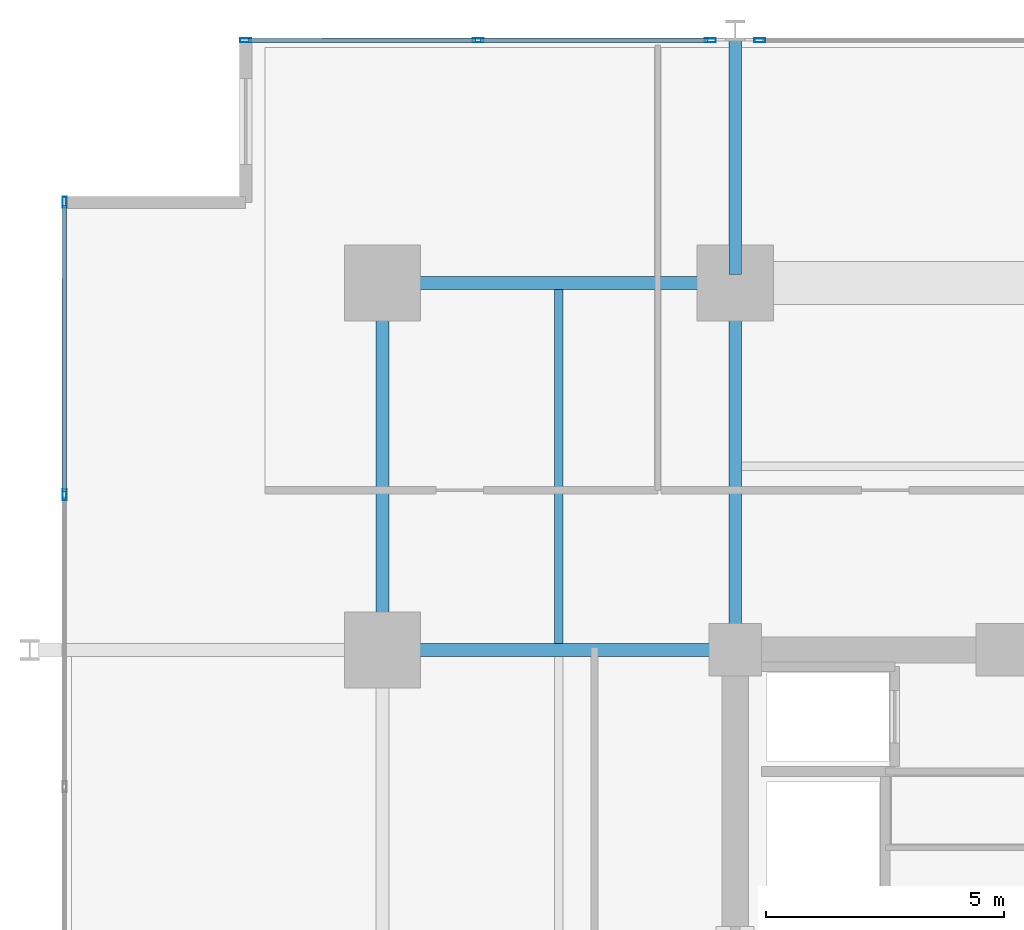
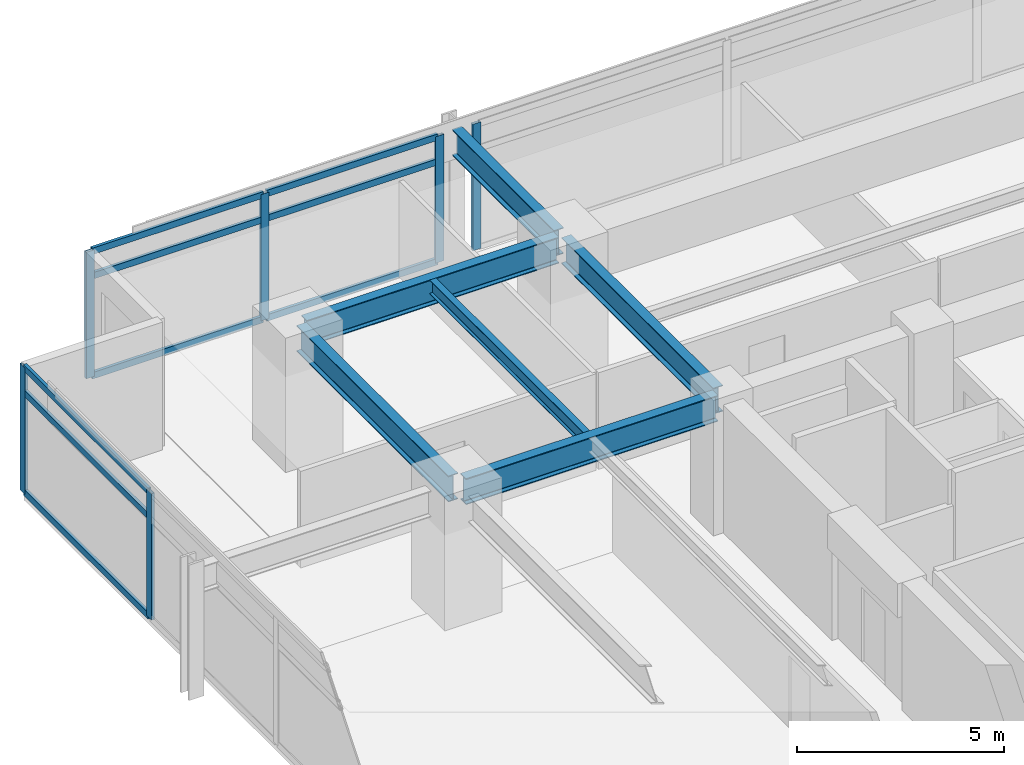
# One storey, part 6 of 21: 15 members, 6 beams, 3 elements without a shape of their own.
"""IFC4 building model written with IfcOpenShell, lengths in metres."""

from ifc_helpers import new_model, si_unit, direction, frame, origin, origin_2d, place, context, subcontext, project, spatial, hollow_rectangle, i_section, extrude, material, material_profile, profile_set, type_object, element, aggregate, save


model = new_model("IFC4")

# Units and contexts
model_context = context("Model", 3, precision=1e-05, world=origin(), true_north=direction((0.0, 1.0)))
body_context = subcontext(model_context, "Body", "Model", "MODEL_VIEW")
ifc_project = project(units=[si_unit("LENGTHUNIT", "METRE"), si_unit("AREAUNIT", "SQUARE_METRE"), si_unit("VOLUMEUNIT", "CUBIC_METRE"), si_unit("PLANEANGLEUNIT", "RADIAN"), si_unit("MASSUNIT", "GRAM", prefix="KILO")], contexts=[model_context])

# Site, building, storey
site_placement = place(None, origin())
site = spatial("IfcSite", under=ifc_project, at=site_placement, CompositionType="ELEMENT")
building_placement = place(site_placement, origin())
building = spatial("IfcBuilding", under=site, at=building_placement, Name="Kovane Verandah Tower", CompositionType="ELEMENT")
storey_placement = place(building_placement, frame((0.0, 0.0, 172.39990234375)))
storey = spatial("IfcBuildingStorey", under=building, at=storey_placement, Name="L40", CompositionType="ELEMENT", Elevation=172.39990234375)

# Beams
ifc_material_1 = material(Name="Steel S355", Category="steel")
ifc_material_profile_1 = material_profile(ifc_material_1, i_section(OverallWidth=0.26806640625, OverallDepth=0.769775390625, WebThickness=0.015625, FlangeThickness=0.025390625, FilletRadius=0.0166015625, at=origin_2d()), Name="UB762x267x197")
ifc_profile_set_1 = profile_set([ifc_material_profile_1], Name="Steel S355")
beam_type_1 = type_object("IfcBeamType", Name="BM-UB762x197", PredefinedType="BEAM", material=ifc_profile_set_1)
beam_1_placement = place(storey_placement, frame((21.780029296875, 44.199951171875, 3.39013671875), z_axis=(1.0, 0.0, 0.0), x_axis=(0.0, 1.0, 0.0)))
element("IfcBeam", 1, at=beam_1_placement, inside=storey, type_object=beam_type_1, Name="L40 Primary Tower Girder G-RN1", PredefinedType="BEAM", context=body_context, shape_type="SweptSolid", body=[
    extrude(i_section(OverallWidth=0.26806640625, OverallDepth=0.769775390625, WebThickness=0.015625, FlangeThickness=0.025390625, FilletRadius=0.0166015625, at=origin_2d()), origin(), (0.0, 0.0, 1.0), 7.0400390625),
])
beam_2_placement = place(storey_placement, frame((21.60009765625, 36.679931640625, 3.39013671875), z_axis=(0.0, 1.0, 0.0), x_axis=(-1.0, 0.0, 0.0)))
element("IfcBeam", 2, at=beam_2_placement, inside=storey, type_object=beam_type_1, Name="L40 Primary Tower Girder G-RW3", PredefinedType="BEAM", context=body_context, shape_type="SweptSolid", body=[
    extrude(i_section(OverallWidth=0.26806640625, OverallDepth=0.769775390625, WebThickness=0.015625, FlangeThickness=0.025390625, FilletRadius=0.0166015625, at=origin_2d()), origin(), (0.0, 0.0, 1.0), 7.340087890625),
])
beam_3_placement = place(storey_placement, frame((28.820068359375, 36.5, 3.39013671875), z_axis=(-1.0, 0.0, 0.0), x_axis=(0.0, -1.0, 0.0)))
element("IfcBeam", 3, at=beam_3_placement, inside=storey, type_object=beam_type_1, Name="L40 Primary Tower Girder G-W2", PredefinedType="BEAM", context=body_context, shape_type="SweptSolid", body=[
    extrude(i_section(OverallWidth=0.26806640625, OverallDepth=0.769775390625, WebThickness=0.015625, FlangeThickness=0.025390625, FilletRadius=0.0166015625, at=origin_2d()), origin(), (0.0, 0.0, 1.0), 7.0400390625),
])
beam_4_placement = place(storey_placement, frame((29.0, 36.679931640625, 3.39013671875), z_axis=(0.0, 1.0, 0.0), x_axis=(-1.0, 0.0, 0.0)))
element("IfcBeam", 4, at=beam_4_placement, inside=storey, type_object=beam_type_1, Name="L40 Primary Tower Girder G-N1", PredefinedType="BEAM", context=body_context, shape_type="SweptSolid", body=[
    extrude(i_section(OverallWidth=0.26806640625, OverallDepth=0.769775390625, WebThickness=0.015625, FlangeThickness=0.025390625, FilletRadius=0.0166015625, at=origin_2d()), origin(), (0.0, 0.0, 1.0), 7.340087890625),
])
beam_5_placement = place(storey_placement, frame((29.0, 44.3798828125, 3.375244140625), z_axis=(0.0, 1.0, 0.0), x_axis=(-1.0, 0.0, 0.0)))
element("IfcBeam", 5, at=beam_5_placement, inside=storey, type_object=beam_type_1, Name="L40 Primary Tower Girder G-VN1", PredefinedType="BEAM", context=body_context, shape_type="SweptSolid", body=[
    extrude(i_section(OverallWidth=0.26806640625, OverallDepth=0.769775390625, WebThickness=0.015625, FlangeThickness=0.025390625, FilletRadius=0.0166015625, at=origin_2d()), origin(), (0.0, 0.0, 1.0), 4.940185546875),
])

# Curtain wall, member
ifc_material_2 = material(Name="Champagne Anodised Aluminium Frame with Low-E Clear Laminated Glass", Category="aluminium")
curtain_wall_type = type_object("IfcCurtainWallType", Name="CW-SYS-03-MID", PredefinedType="NOTDEFINED", material=ifc_material_2)
curtain_wall_1_placement = place(storey_placement, origin())
curtain_wall_1 = element("IfcCurtainWall", 6, at=curtain_wall_1_placement, inside=storey, type_object=curtain_wall_type, Name="L40 N Unitised Curtain Wall-2", PredefinedType="NOTDEFINED")
ifc_material_3 = material(Name="Champagne Anodised Aluminium 6063-T6", Category="aluminium")
ifc_material_profile_2 = material_profile(ifc_material_3, hollow_rectangle(XDim=0.0849609375, YDim=0.22998046875, WallThickness=0.00390625, at=origin_2d()), Name="AL85x230x4")
ifc_profile_set_2 = profile_set([ifc_material_profile_2], Name="Champagne Anodised Aluminium 6063-T6")
member_type_1 = type_object("IfcMemberType", Name="CW-MUL-85x230", PredefinedType="MULLION", material=ifc_profile_set_2)
member_1_placement = place(storey_placement, frame((29.52001953125, 49.289306640625, 0.02001953125), z_axis=(0.0, 0.0, 1.0), x_axis=(0.0, 1.0, 0.0)))
member_1 = element("IfcMember", 7, at=member_1_placement, type_object=member_type_1, Name="L40 N Unitised Curtain Wall-2 Mullion 4", PredefinedType="MULLION", context=body_context, shape_type="SweptSolid", body=[
    extrude(hollow_rectangle(XDim=0.0849609375, YDim=0.22998046875, WallThickness=0.00390625, at=origin_2d()), origin(), (0.0, 0.0, 1.0), 3.735107421875),
])
aggregate(curtain_wall_1, [member_1])

# Curtain wall, members
curtain_wall_2_placement = place(storey_placement, origin())
curtain_wall_2 = element("IfcCurtainWall", 8, at=curtain_wall_2_placement, inside=storey, type_object=curtain_wall_type, Name="L40 N Unitised Curtain Wall-3", PredefinedType="NOTDEFINED")
member_2_placement = place(storey_placement, frame((28.47998046875, 49.289306640625, 0.02001953125), z_axis=(0.0, 0.0, 1.0), x_axis=(0.0, 1.0, 0.0)))
member_2 = element("IfcMember", 9, at=member_2_placement, type_object=member_type_1, Name="L40 N Unitised Curtain Wall-3 Mullion 1", PredefinedType="MULLION", context=body_context, shape_type="SweptSolid", body=[
    extrude(hollow_rectangle(XDim=0.0849609375, YDim=0.22998046875, WallThickness=0.00390625, at=origin_2d()), origin(), (0.0, 0.0, 1.0), 3.735107421875),
])
member_3_placement = place(storey_placement, frame((23.604736328125, 49.289306640625, 0.02001953125), z_axis=(0.0, 0.0, 1.0), x_axis=(0.0, 1.0, 0.0)))
member_3 = element("IfcMember", 10, at=member_3_placement, type_object=member_type_1, Name="L40 N Unitised Curtain Wall-3 Mullion 2", PredefinedType="MULLION", context=body_context, shape_type="SweptSolid", body=[
    extrude(hollow_rectangle(XDim=0.0849609375, YDim=0.22998046875, WallThickness=0.00390625, at=origin_2d()), origin(), (0.0, 0.0, 1.0), 3.735107421875),
])
member_4_placement = place(storey_placement, frame((18.7294921875, 49.289306640625, 0.02001953125), z_axis=(0.0, 0.0, 1.0), x_axis=(0.0, 1.0, 0.0)))
member_4 = element("IfcMember", 11, at=member_4_placement, type_object=member_type_1, Name="L40 N Unitised Curtain Wall-3 Mullion 3", PredefinedType="MULLION", context=body_context, shape_type="SweptSolid", body=[
    extrude(hollow_rectangle(XDim=0.0849609375, YDim=0.22998046875, WallThickness=0.00390625, at=origin_2d()), origin(), (0.0, 0.0, 1.0), 3.735107421875),
])

curtain_wall_3_placement = place(storey_placement, origin())
curtain_wall_3 = element("IfcCurtainWall", 12, at=curtain_wall_3_placement, inside=storey, type_object=curtain_wall_type, Name="L40 W Unitised Curtain Wall", PredefinedType="NOTDEFINED")
member_5_placement = place(storey_placement, frame((14.9296875, 45.889404296875, 0.02001953125), z_axis=(0.0, 0.0, 1.0), x_axis=(-1.0, 0.0, 0.0)))
member_5 = element("IfcMember", 13, at=member_5_placement, type_object=member_type_1, Name="L40 W Unitised Curtain Wall Mullion 1", PredefinedType="MULLION", context=body_context, shape_type="SweptSolid", body=[
    extrude(hollow_rectangle(XDim=0.0849609375, YDim=0.22998046875, WallThickness=0.00390625, at=origin_2d()), origin(), (0.0, 0.0, 1.0), 3.735107421875),
])
member_6_placement = place(storey_placement, frame((14.9296875, 39.759521484375, 0.02001953125), z_axis=(0.0, 0.0, 1.0), x_axis=(-1.0, 0.0, 0.0)))
member_6 = element("IfcMember", 14, at=member_6_placement, type_object=member_type_1, Name="L40 W Unitised Curtain Wall Mullion 2", PredefinedType="MULLION", context=body_context, shape_type="SweptSolid", body=[
    extrude(hollow_rectangle(XDim=0.0849609375, YDim=0.22998046875, WallThickness=0.00390625, at=origin_2d()), origin(), (0.0, 0.0, 1.0), 3.735107421875),
])

# Member
ifc_material_profile_3 = material_profile(ifc_material_3, hollow_rectangle(XDim=0.0849609375, YDim=0.18994140625, WallThickness=0.00390625, at=origin_2d()), Name="AL85x190x4")
ifc_profile_set_3 = profile_set([ifc_material_profile_3], Name="Champagne Anodised Aluminium 6063-T6")
member_type_2 = type_object("IfcMemberType", Name="CW-TRN-85x190", PredefinedType="USERDEFINED", material=ifc_profile_set_3)
member_7_placement = place(storey_placement, frame((28.429931640625, 49.289306640625, 0.050048828125), z_axis=(-1.0, 0.0, 0.0), x_axis=(0.0, -1.0, 0.0)))
member_7 = element("IfcMember", 15, at=member_7_placement, type_object=member_type_2, Name="L40 N Unitised Curtain Wall-3 Transom TB Bay 1", ObjectType="TRANSOM", PredefinedType="USERDEFINED", context=body_context, shape_type="SweptSolid", body=[
    extrude(hollow_rectangle(XDim=0.0849609375, YDim=0.18994140625, WallThickness=0.00390625, at=origin_2d()), origin(), (0.0, 0.0, 1.0), 4.775146484375),
])

member_8_placement = place(storey_placement, frame((28.429931640625, 49.289306640625, 2.9951171875), z_axis=(-1.0, 0.0, 0.0), x_axis=(0.0, -1.0, 0.0)))
member_8 = element("IfcMember", 16, at=member_8_placement, type_object=member_type_2, Name="L40 N Unitised Curtain Wall-3 Transom TM Bay 1", ObjectType="TRANSOM", PredefinedType="USERDEFINED", context=body_context, shape_type="SweptSolid", body=[
    extrude(hollow_rectangle(XDim=0.0849609375, YDim=0.18994140625, WallThickness=0.00390625, at=origin_2d()), origin(), (0.0, 0.0, 1.0), 4.775146484375),
])

member_9_placement = place(storey_placement, frame((28.429931640625, 49.289306640625, 3.72509765625), z_axis=(-1.0, 0.0, 0.0), x_axis=(0.0, -1.0, 0.0)))
member_9 = element("IfcMember", 17, at=member_9_placement, type_object=member_type_2, Name="L40 N Unitised Curtain Wall-3 Transom TT Bay 1", ObjectType="TRANSOM", PredefinedType="USERDEFINED", context=body_context, shape_type="SweptSolid", body=[
    extrude(hollow_rectangle(XDim=0.0849609375, YDim=0.18994140625, WallThickness=0.00390625, at=origin_2d()), origin(), (0.0, 0.0, 1.0), 4.775146484375),
])

member_10_placement = place(storey_placement, frame((23.5546875, 49.289306640625, 0.050048828125), z_axis=(-1.0, 0.0, 0.0), x_axis=(0.0, -1.0, 0.0)))
member_10 = element("IfcMember", 18, at=member_10_placement, type_object=member_type_2, Name="L40 N Unitised Curtain Wall-3 Transom TB Bay 2", ObjectType="TRANSOM", PredefinedType="USERDEFINED", context=body_context, shape_type="SweptSolid", body=[
    extrude(hollow_rectangle(XDim=0.0849609375, YDim=0.18994140625, WallThickness=0.00390625, at=origin_2d()), origin(), (0.0, 0.0, 1.0), 4.775146484375),
])

member_11_placement = place(storey_placement, frame((23.5546875, 49.289306640625, 2.9951171875), z_axis=(-1.0, 0.0, 0.0), x_axis=(0.0, -1.0, 0.0)))
member_11 = element("IfcMember", 19, at=member_11_placement, type_object=member_type_2, Name="L40 N Unitised Curtain Wall-3 Transom TM Bay 2", ObjectType="TRANSOM", PredefinedType="USERDEFINED", context=body_context, shape_type="SweptSolid", body=[
    extrude(hollow_rectangle(XDim=0.0849609375, YDim=0.18994140625, WallThickness=0.00390625, at=origin_2d()), origin(), (0.0, 0.0, 1.0), 4.775146484375),
])

member_12_placement = place(storey_placement, frame((23.5546875, 49.289306640625, 3.72509765625), z_axis=(-1.0, 0.0, 0.0), x_axis=(0.0, -1.0, 0.0)))
member_12 = element("IfcMember", 20, at=member_12_placement, type_object=member_type_2, Name="L40 N Unitised Curtain Wall-3 Transom TT Bay 2", ObjectType="TRANSOM", PredefinedType="USERDEFINED", context=body_context, shape_type="SweptSolid", body=[
    extrude(hollow_rectangle(XDim=0.0849609375, YDim=0.18994140625, WallThickness=0.00390625, at=origin_2d()), origin(), (0.0, 0.0, 1.0), 4.775146484375),
])

aggregate(curtain_wall_2, [member_2, member_3, member_4, member_7, member_8, member_9, member_10, member_11, member_12])

member_13_placement = place(storey_placement, frame((14.9296875, 45.83935546875, 0.050048828125), z_axis=(0.0, -1.0, 0.0), x_axis=(1.0, 0.0, 0.0)))
member_13 = element("IfcMember", 21, at=member_13_placement, type_object=member_type_2, Name="L40 W Unitised Curtain Wall Transom TB Bay 1", ObjectType="TRANSOM", PredefinedType="USERDEFINED", context=body_context, shape_type="SweptSolid", body=[
    extrude(hollow_rectangle(XDim=0.0849609375, YDim=0.18994140625, WallThickness=0.00390625, at=origin_2d()), origin(), (0.0, 0.0, 1.0), 6.02978515625),
])

member_14_placement = place(storey_placement, frame((14.9296875, 45.83935546875, 2.9951171875), z_axis=(0.0, -1.0, 0.0), x_axis=(1.0, 0.0, 0.0)))
member_14 = element("IfcMember", 22, at=member_14_placement, type_object=member_type_2, Name="L40 W Unitised Curtain Wall Transom TM Bay 1", ObjectType="TRANSOM", PredefinedType="USERDEFINED", context=body_context, shape_type="SweptSolid", body=[
    extrude(hollow_rectangle(XDim=0.0849609375, YDim=0.18994140625, WallThickness=0.00390625, at=origin_2d()), origin(), (0.0, 0.0, 1.0), 6.02978515625),
])

member_15_placement = place(storey_placement, frame((14.9296875, 45.83935546875, 3.72509765625), z_axis=(0.0, -1.0, 0.0), x_axis=(1.0, 0.0, 0.0)))
member_15 = element("IfcMember", 23, at=member_15_placement, type_object=member_type_2, Name="L40 W Unitised Curtain Wall Transom TT Bay 1", ObjectType="TRANSOM", PredefinedType="USERDEFINED", context=body_context, shape_type="SweptSolid", body=[
    extrude(hollow_rectangle(XDim=0.0849609375, YDim=0.18994140625, WallThickness=0.00390625, at=origin_2d()), origin(), (0.0, 0.0, 1.0), 6.02978515625),
])

aggregate(curtain_wall_3, [member_5, member_6, member_13, member_14, member_15])

# Beam
ifc_material_profile_4 = material_profile(ifc_material_1, i_section(OverallWidth=0.179443359375, OverallDepth=0.412841796875, WebThickness=0.009521484375, FlangeThickness=0.01611328125, FilletRadius=0.01025390625, at=origin_2d()), Name="UB406x178x74")
ifc_profile_set_4 = profile_set([ifc_material_profile_4], Name="Steel S355")
beam_type_2 = type_object("IfcBeamType", Name="JST-UB406x74", PredefinedType="JOIST", material=ifc_profile_set_4)
beam_6_placement = place(storey_placement, frame((25.300048828125, 36.632080078125, 3.568603515625), z_axis=(0.0, 1.0, 0.0), x_axis=(-1.0, 0.0, 0.0)))
element("IfcBeam", 24, at=beam_6_placement, inside=storey, type_object=beam_type_2, Name="L40 Secondary Composite Joist J-NW1", PredefinedType="JOIST", context=body_context, shape_type="SweptSolid", body=[
    extrude(i_section(OverallWidth=0.179443359375, OverallDepth=0.412841796875, WebThickness=0.009521484375, FlangeThickness=0.01611328125, FilletRadius=0.01025390625, at=origin_2d()), origin(), (0.0, 0.0, 1.0), 7.43603515625),
])

save(model, "model.ifc")
